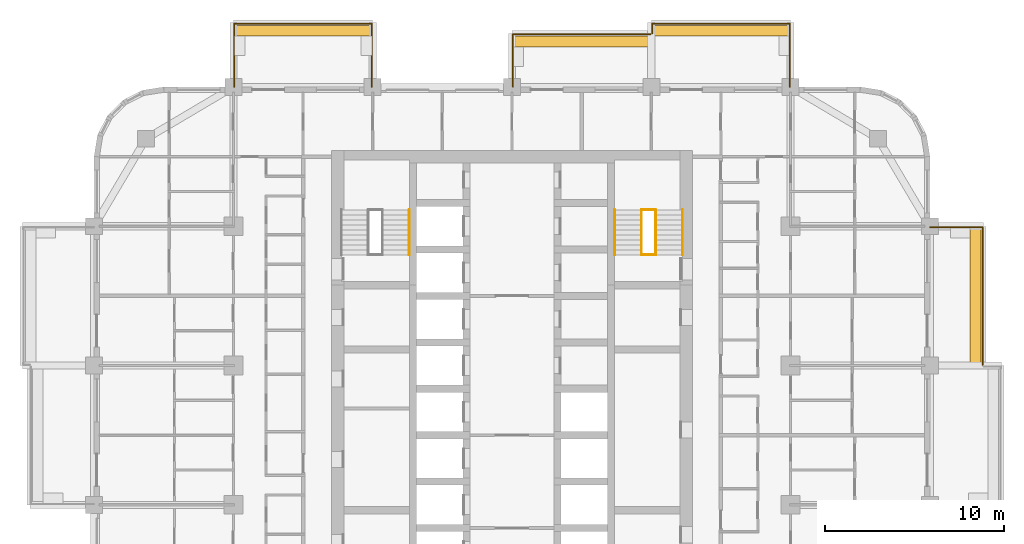
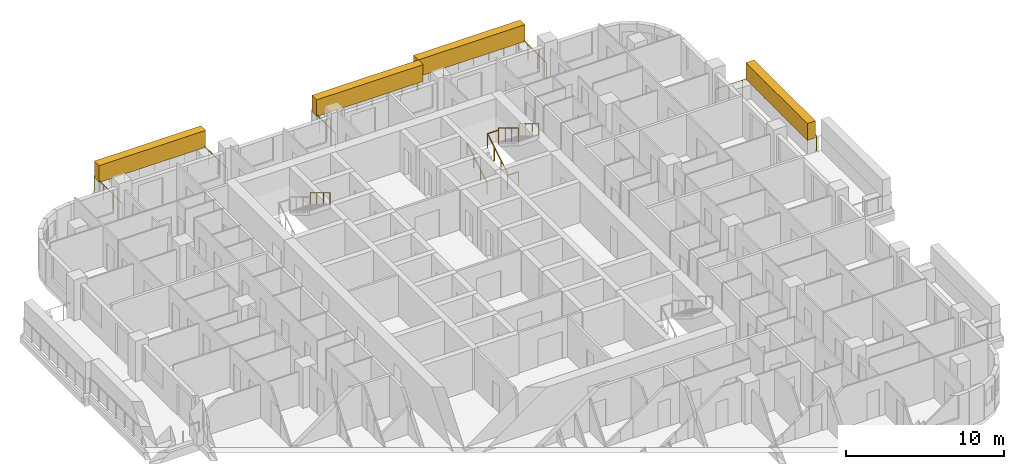
# One storey, part 18 of 18: 11 railings, 4 coverings, 2 elements without a shape of their own.
"""IFC4 building model written with IfcOpenShell, lengths in metres."""

from ifc_helpers import new_model, si_unit, direction, frame, origin, origin_2d, place, context, subcontext, project, spatial, rectangle, circle, extrude, material, layer, layer_set, type_object, element, aggregate, save


model = new_model("IFC4")

# Units and contexts
model_context = context("Model", 3, precision=1e-05, world=origin(), true_north=direction((0.0, 1.0)))
body_context = subcontext(model_context, "Body", "Model", "MODEL_VIEW")
ifc_project = project(units=[si_unit("LENGTHUNIT", "METRE"), si_unit("AREAUNIT", "SQUARE_METRE"), si_unit("VOLUMEUNIT", "CUBIC_METRE"), si_unit("PLANEANGLEUNIT", "RADIAN"), si_unit("MASSUNIT", "GRAM", prefix="KILO")], contexts=[model_context])

# Site, building, storey
site_placement = place(None, origin())
site = spatial("IfcSite", under=ifc_project, at=site_placement, CompositionType="ELEMENT")
building_placement = place(site_placement, origin())
building = spatial("IfcBuilding", under=site, at=building_placement, Name="Ludao Terraces", CompositionType="ELEMENT")
storey_placement = place(building_placement, frame((0.0, 0.0, 78.39990234375)))
storey = spatial("IfcBuildingStorey", under=building, at=storey_placement, Name="L21", CompositionType="ELEMENT", Elevation=78.39990234375)

# Railings
ifc_material_1 = material(Name="Stainless steel 304", Category="steel")
railing_type_1 = type_object("IfcRailingType", Name="ENV Balcony glass guard 1200", PredefinedType="GUARDRAIL", material=ifc_material_1)
railing_1_placement = place(storey_placement, frame((111.35009765625, 72.85009765625, 0.0)))
element("IfcRailing", 1, at=railing_1_placement, inside=storey, type_object=railing_type_1, Name="Balcony guard L21 E4", PredefinedType="GUARDRAIL", context=body_context, shape_type="SweptSolid", body=[
    extrude(circle(Radius=0.02392578125, at=origin_2d()), frame((0.0, 0.0, 1.17578125), z_axis=(0.0, 1.0, 0.0), x_axis=(-1.0, 0.0, 0.0)), (0.0, 0.0, 1.0), 7.699951171875),
    extrude(circle(Radius=0.02392578125, at=origin_2d()), frame((0.0, 7.699951171875, 1.17578125), z_axis=(-1.0, 0.0, 0.0), x_axis=(0.0, -1.0, 0.0)), (0.0, 0.0, 1.0), 2.9501953125),
    extrude(circle(Radius=0.02099609375, at=origin_2d()), origin(), (0.0, 0.0, 1.0), 1.15185546875),
    extrude(circle(Radius=0.02099609375, at=origin_2d()), frame((0.0, 1.10009765625, 0.0)), (0.0, 0.0, 1.0), 1.15185546875),
    extrude(circle(Radius=0.02099609375, at=origin_2d()), frame((0.0, 2.199951171875, 0.0)), (0.0, 0.0, 1.0), 1.15185546875),
    extrude(circle(Radius=0.02099609375, at=origin_2d()), frame((0.0, 3.300048828125, 0.0)), (0.0, 0.0, 1.0), 1.15185546875),
    extrude(circle(Radius=0.02099609375, at=origin_2d()), frame((0.0, 4.39990234375, 0.0)), (0.0, 0.0, 1.0), 1.15185546875),
    extrude(circle(Radius=0.02099609375, at=origin_2d()), frame((0.0, 5.5, 0.0)), (0.0, 0.0, 1.0), 1.15185546875),
    extrude(circle(Radius=0.02099609375, at=origin_2d()), frame((0.0, 6.599853515625, 0.0)), (0.0, 0.0, 1.0), 1.15185546875),
    extrude(circle(Radius=0.02099609375, at=origin_2d()), frame((0.0, 7.699951171875, 0.0)), (0.0, 0.0, 1.0), 1.15185546875),
    extrude(circle(Radius=0.02099609375, at=origin_2d()), frame((-0.9833984375, 7.699951171875, 0.0)), (0.0, 0.0, 1.0), 1.15185546875),
    extrude(circle(Radius=0.02099609375, at=origin_2d()), frame((-1.966796875, 7.699951171875, 0.0)), (0.0, 0.0, 1.0), 1.15185546875),
    extrude(circle(Radius=0.02099609375, at=origin_2d()), frame((-2.9501953125, 7.699951171875, 0.0)), (0.0, 0.0, 1.0), 1.15185546875),
])
railing_2_placement = place(storey_placement, frame((69.449951171875, 88.39990234375, 0.0)))
element("IfcRailing", 2, at=railing_2_placement, inside=storey, type_object=railing_type_1, Name="Balcony guard L21 N1", PredefinedType="GUARDRAIL", context=body_context, shape_type="SweptSolid", body=[
    extrude(circle(Radius=0.02392578125, at=origin_2d()), frame((0.0, 0.0, 1.17578125), z_axis=(0.0, 1.0, 0.0), x_axis=(-1.0, 0.0, 0.0)), (0.0, 0.0, 1.0), 3.550048828125),
    extrude(circle(Radius=0.02392578125, at=origin_2d()), frame((0.0, 3.550048828125, 1.17578125), z_axis=(1.0, 0.0, 0.0), x_axis=(0.0, 1.0, 0.0)), (0.0, 0.0, 1.0), 7.699951171875),
    extrude(circle(Radius=0.02392578125, at=origin_2d()), frame((7.699951171875, 3.550048828125, 1.17578125), z_axis=(0.0, -1.0, 0.0), x_axis=(1.0, 0.0, 0.0)), (0.0, 0.0, 1.0), 3.550048828125),
    extrude(circle(Radius=0.02099609375, at=origin_2d()), origin(), (0.0, 0.0, 1.0), 1.15185546875),
    extrude(circle(Radius=0.02099609375, at=origin_2d()), frame((0.0, 1.183349609375, 0.0)), (0.0, 0.0, 1.0), 1.15185546875),
    extrude(circle(Radius=0.02099609375, at=origin_2d()), frame((0.0, 2.36669921875, 0.0)), (0.0, 0.0, 1.0), 1.15185546875),
    extrude(circle(Radius=0.02099609375, at=origin_2d()), frame((0.0, 3.550048828125, 0.0)), (0.0, 0.0, 1.0), 1.15185546875),
    extrude(circle(Radius=0.02099609375, at=origin_2d()), frame((1.10009765625, 3.550048828125, 0.0)), (0.0, 0.0, 1.0), 1.15185546875),
    extrude(circle(Radius=0.02099609375, at=origin_2d()), frame((2.199951171875, 3.550048828125, 0.0)), (0.0, 0.0, 1.0), 1.15185546875),
    extrude(circle(Radius=0.02099609375, at=origin_2d()), frame((3.300048828125, 3.550048828125, 0.0)), (0.0, 0.0, 1.0), 1.15185546875),
    extrude(circle(Radius=0.02099609375, at=origin_2d()), frame((4.39990234375, 3.550048828125, 0.0)), (0.0, 0.0, 1.0), 1.15185546875),
    extrude(circle(Radius=0.02099609375, at=origin_2d()), frame((5.5, 3.550048828125, 0.0)), (0.0, 0.0, 1.0), 1.15185546875),
    extrude(circle(Radius=0.02099609375, at=origin_2d()), frame((6.599853515625, 3.550048828125, 0.0)), (0.0, 0.0, 1.0), 1.15185546875),
    extrude(circle(Radius=0.02099609375, at=origin_2d()), frame((7.699951171875, 3.550048828125, 0.0)), (0.0, 0.0, 1.0), 1.15185546875),
    extrude(circle(Radius=0.02099609375, at=origin_2d()), frame((7.699951171875, 2.36669921875, 0.0)), (0.0, 0.0, 1.0), 1.15185546875),
    extrude(circle(Radius=0.02099609375, at=origin_2d()), frame((7.699951171875, 1.183349609375, 0.0)), (0.0, 0.0, 1.0), 1.15185546875),
    extrude(circle(Radius=0.02099609375, at=origin_2d()), frame((7.699951171875, 0.0, 0.0)), (0.0, 0.0, 1.0), 1.15185546875),
])
railing_3_placement = place(storey_placement, frame((85.050048828125, 88.39990234375, 0.0)))
element("IfcRailing", 3, at=railing_3_placement, inside=storey, type_object=railing_type_1, Name="Balcony guard L21 N3", PredefinedType="GUARDRAIL", context=body_context, shape_type="SweptSolid", body=[
    extrude(circle(Radius=0.02392578125, at=origin_2d()), frame((0.0, 0.0, 1.17578125), z_axis=(0.0, 1.0, 0.0), x_axis=(-1.0, 0.0, 0.0)), (0.0, 0.0, 1.0), 2.9501953125),
    extrude(circle(Radius=0.02392578125, at=origin_2d()), frame((0.0, 2.9501953125, 1.17578125), z_axis=(1.0, 0.0, 0.0), x_axis=(0.0, 1.0, 0.0)), (0.0, 0.0, 1.0), 7.699951171875),
    extrude(circle(Radius=0.02099609375, at=origin_2d()), origin(), (0.0, 0.0, 1.0), 1.15185546875),
    extrude(circle(Radius=0.02099609375, at=origin_2d()), frame((0.0, 0.9833984375, 0.0)), (0.0, 0.0, 1.0), 1.15185546875),
    extrude(circle(Radius=0.02099609375, at=origin_2d()), frame((0.0, 1.966796875, 0.0)), (0.0, 0.0, 1.0), 1.15185546875),
    extrude(circle(Radius=0.02099609375, at=origin_2d()), frame((0.0, 2.9501953125, 0.0)), (0.0, 0.0, 1.0), 1.15185546875),
    extrude(circle(Radius=0.02099609375, at=origin_2d()), frame((1.10009765625, 2.9501953125, 0.0)), (0.0, 0.0, 1.0), 1.15185546875),
    extrude(circle(Radius=0.02099609375, at=origin_2d()), frame((2.199951171875, 2.9501953125, 0.0)), (0.0, 0.0, 1.0), 1.15185546875),
    extrude(circle(Radius=0.02099609375, at=origin_2d()), frame((3.300048828125, 2.9501953125, 0.0)), (0.0, 0.0, 1.0), 1.15185546875),
    extrude(circle(Radius=0.02099609375, at=origin_2d()), frame((4.39990234375, 2.9501953125, 0.0)), (0.0, 0.0, 1.0), 1.15185546875),
    extrude(circle(Radius=0.02099609375, at=origin_2d()), frame((5.5, 2.9501953125, 0.0)), (0.0, 0.0, 1.0), 1.15185546875),
    extrude(circle(Radius=0.02099609375, at=origin_2d()), frame((6.599853515625, 2.9501953125, 0.0)), (0.0, 0.0, 1.0), 1.15185546875),
    extrude(circle(Radius=0.02099609375, at=origin_2d()), frame((7.699951171875, 2.9501953125, 0.0)), (0.0, 0.0, 1.0), 1.15185546875),
])
railing_4_placement = place(storey_placement, frame((92.85009765625, 91.39990234375, 0.0)))
element("IfcRailing", 4, at=railing_4_placement, inside=storey, type_object=railing_type_1, Name="Balcony guard L21 N4", PredefinedType="GUARDRAIL", context=body_context, shape_type="SweptSolid", body=[
    extrude(circle(Radius=0.02392578125, at=origin_2d()), frame((0.0, 0.0, 1.17578125), z_axis=(0.0, 1.0, 0.0), x_axis=(-1.0, 0.0, 0.0)), (0.0, 0.0, 1.0), 0.550048828125),
    extrude(circle(Radius=0.02392578125, at=origin_2d()), frame((0.0, 0.550048828125, 1.17578125), z_axis=(1.0, 0.0, 0.0), x_axis=(0.0, 1.0, 0.0)), (0.0, 0.0, 1.0), 7.699951171875),
    extrude(circle(Radius=0.02392578125, at=origin_2d()), frame((7.699951171875, 0.550048828125, 1.17578125), z_axis=(0.0, -1.0, 0.0), x_axis=(1.0, 0.0, 0.0)), (0.0, 0.0, 1.0), 3.550048828125),
    extrude(circle(Radius=0.02099609375, at=origin_2d()), origin(), (0.0, 0.0, 1.0), 1.15185546875),
    extrude(circle(Radius=0.02099609375, at=origin_2d()), frame((0.0, 0.550048828125, 0.0)), (0.0, 0.0, 1.0), 1.15185546875),
    extrude(circle(Radius=0.02099609375, at=origin_2d()), frame((1.10009765625, 0.550048828125, 0.0)), (0.0, 0.0, 1.0), 1.15185546875),
    extrude(circle(Radius=0.02099609375, at=origin_2d()), frame((2.199951171875, 0.550048828125, 0.0)), (0.0, 0.0, 1.0), 1.15185546875),
    extrude(circle(Radius=0.02099609375, at=origin_2d()), frame((3.300048828125, 0.550048828125, 0.0)), (0.0, 0.0, 1.0), 1.15185546875),
    extrude(circle(Radius=0.02099609375, at=origin_2d()), frame((4.39990234375, 0.550048828125, 0.0)), (0.0, 0.0, 1.0), 1.15185546875),
    extrude(circle(Radius=0.02099609375, at=origin_2d()), frame((5.5, 0.550048828125, 0.0)), (0.0, 0.0, 1.0), 1.15185546875),
    extrude(circle(Radius=0.02099609375, at=origin_2d()), frame((6.599853515625, 0.550048828125, 0.0)), (0.0, 0.0, 1.0), 1.15185546875),
    extrude(circle(Radius=0.02099609375, at=origin_2d()), frame((7.699951171875, 0.550048828125, 0.0)), (0.0, 0.0, 1.0), 1.15185546875),
    extrude(circle(Radius=0.02099609375, at=origin_2d()), frame((7.699951171875, -0.63330078125, 0.0)), (0.0, 0.0, 1.0), 1.15185546875),
    extrude(circle(Radius=0.02099609375, at=origin_2d()), frame((7.699951171875, -1.816650390625, 0.0)), (0.0, 0.0, 1.0), 1.15185546875),
    extrude(circle(Radius=0.02099609375, at=origin_2d()), frame((7.699951171875, -3.0, 0.0)), (0.0, 0.0, 1.0), 1.15185546875),
])

# Coverings
ifc_material_2 = material(Name="Planting")
ifc_layer = layer(ifc_material_2, 0.60009765625)
ifc_layer_set = layer_set([ifc_layer], Name="ENV Planting hedge 600x1300")
covering_type = type_object("IfcCoveringType", Name="ENV Planting hedge 600x1300", PredefinedType="USERDEFINED", material=ifc_layer_set)
covering_placement = place(storey_placement, frame((110.949951171875, 76.699951171875, 1.10009765625), z_axis=(0.0, 0.0, 1.0), x_axis=(1.0, 0.0, 0.0)))
element("IfcCovering", 5, at=covering_placement, inside=storey, type_object=covering_type, Name="Planting hedge L21-E4", ObjectType="PLANTING", PredefinedType="USERDEFINED", context=body_context, shape_type="SweptSolid", body=[
    extrude(rectangle(XDim=0.60009765625, YDim=7.800048828125, at=origin_2d()), origin(), (0.0, 0.0, 1.0), 1.300048828125),
])
for number, where, z_axis, x_axis, name in (
    (6, (73.300048828125, 91.550048828125, 1.10009765625), (0.0, 0.0, 1.0), (1.0, 0.0, 0.0), "Planting hedge L21-N1"),
    (7, (88.89990234375, 90.949951171875, 1.10009765625), (0.0, 0.0, 1.0), (1.0, 0.0, 0.0), "Planting hedge L21-N3"),
    (8, (96.699951171875, 91.550048828125, 1.10009765625), (0.0, 0.0, 1.0), (1.0, 0.0, 0.0), "Planting hedge L21-N4"),
):
    element("IfcCovering", number, at=place(storey_placement, frame(where, z_axis=z_axis, x_axis=x_axis)), inside=storey, type_object=covering_type, Name=name, ObjectType="PLANTING", PredefinedType="USERDEFINED", context=body_context, shape_type="SweptSolid", body=[
        extrude(rectangle(XDim=7.800048828125, YDim=0.60009765625, at=origin_2d()), origin(), (0.0, 0.0, 1.0), 1.300048828125),
    ])

# Stair, railings
ifc_material_3 = material(Name="Concrete C40", Category="concrete")
stair_type = type_object("IfcStairType", Name="INT Stair", PredefinedType="HALF_TURN_STAIR", material=ifc_material_3)
stair_1_placement = place(storey_placement, origin())
stair_1 = element("IfcStair", 9, at=stair_1_placement, inside=storey, type_object=stair_type, Name="EXIT STAIR 2", PredefinedType="HALF_TURN_STAIR")
railing_type_2 = type_object("IfcRailingType", Name="INT Stair guard 1100", PredefinedType="GUARDRAIL", material=ifc_material_1)
railing_5_placement = place(storey_placement, frame((92.25, 79.0, 0.170166015625)))
railing_5 = element("IfcRailing", 10, at=railing_5_placement, type_object=railing_type_2, Name="ST-L21-S2-R1G", PredefinedType="GUARDRAIL", context=body_context, shape_type="SweptSolid", body=[
    extrude(circle(Radius=0.02392578125, at=origin_2d()), frame((0.0, 0.0, 1.076171875), z_axis=(0.0, 0.85478489116, 0.518982456201), x_axis=(-1.0, 0.0, 0.0)), (0.0, 0.0, 1.0), 2.9482421875),
    extrude(circle(Radius=0.02099609375, at=origin_2d()), origin(), (0.0, 0.0, 1.0), 1.052001953125),
    extrude(circle(Radius=0.02099609375, at=origin_2d()), frame((0.0, 0.840087890625, 0.510009765625)), (0.0, 0.0, 1.0), 1.052001953125),
    extrude(circle(Radius=0.02099609375, at=origin_2d()), frame((0.0, 1.679931640625, 1.02001953125)), (0.0, 0.0, 1.0), 1.052001953125),
    extrude(circle(Radius=0.02099609375, at=origin_2d()), frame((0.0, 2.52001953125, 1.530029296875)), (0.0, 0.0, 1.0), 1.052001953125),
])
railing_6_placement = place(storey_placement, frame((93.050048828125, 81.52001953125, 1.8701171875)))
railing_6 = element("IfcRailing", 11, at=railing_6_placement, type_object=railing_type_2, Name="ST-L21-S2-R2G", PredefinedType="GUARDRAIL", context=body_context, shape_type="SweptSolid", body=[
    extrude(circle(Radius=0.02392578125, at=origin_2d()), frame((0.0, 0.0, 1.076171875), z_axis=(0.0, -0.85478489116, 0.518982456201), x_axis=(1.0, 0.0, 0.0)), (0.0, 0.0, 1.0), 2.9482421875),
    extrude(circle(Radius=0.02099609375, at=origin_2d()), origin(), (0.0, 0.0, 1.0), 1.052001953125),
    extrude(circle(Radius=0.02099609375, at=origin_2d()), frame((0.0, -0.840087890625, 0.510009765625)), (0.0, 0.0, 1.0), 1.052001953125),
    extrude(circle(Radius=0.02099609375, at=origin_2d()), frame((0.0, -1.679931640625, 1.02001953125)), (0.0, 0.0, 1.0), 1.052001953125),
    extrude(circle(Radius=0.02099609375, at=origin_2d()), frame((0.0, -2.52001953125, 1.530029296875)), (0.0, 0.0, 1.0), 1.052001953125),
])
railing_7_placement = place(storey_placement, frame((92.25, 81.52001953125, 1.7001953125)))
railing_7 = element("IfcRailing", 12, at=railing_7_placement, type_object=railing_type_2, Name="ST-L21-S2-E1G", PredefinedType="GUARDRAIL", context=body_context, shape_type="SweptSolid", body=[
    extrude(circle(Radius=0.02392578125, at=origin_2d()), frame((0.0, 0.0, 1.076171875), z_axis=(1.0, 0.0, 0.0), x_axis=(0.0, 1.0, 0.0)), (0.0, 0.0, 1.0), 0.800048828125),
    extrude(circle(Radius=0.02099609375, at=origin_2d()), origin(), (0.0, 0.0, 1.0), 1.052001953125),
    extrude(circle(Radius=0.02099609375, at=origin_2d()), frame((0.800048828125, 0.0, 0.0)), (0.0, 0.0, 1.0), 1.052001953125),
])
railing_8_placement = place(storey_placement, frame((92.25, 79.0, 0.0)))
railing_8 = element("IfcRailing", 13, at=railing_8_placement, type_object=railing_type_2, Name="ST-L21-S2-E2G", PredefinedType="GUARDRAIL", context=body_context, shape_type="SweptSolid", body=[
    extrude(circle(Radius=0.02392578125, at=origin_2d()), frame((0.0, 0.0, 1.076171875), z_axis=(1.0, 0.0, 0.0), x_axis=(0.0, 1.0, 0.0)), (0.0, 0.0, 1.0), 0.800048828125),
    extrude(circle(Radius=0.02099609375, at=origin_2d()), origin(), (0.0, 0.0, 1.0), 1.052001953125),
    extrude(circle(Radius=0.02099609375, at=origin_2d()), frame((0.800048828125, 0.0, 0.0)), (0.0, 0.0, 1.0), 1.052001953125),
])

# Stair, railing
stair_2_placement = place(storey_placement, origin())
stair_2 = element("IfcStair", 14, at=stair_2_placement, inside=storey, type_object=stair_type, Name="EXIT STAIR 1", PredefinedType="HALF_TURN_STAIR")
railing_type_3 = type_object("IfcRailingType", Name="INT Stair handrail 900", PredefinedType="HANDRAIL", material=ifc_material_1)
railing_9_placement = place(storey_placement, frame((79.25, 81.52001953125, 1.8701171875)))
railing_9 = element("IfcRailing", 15, at=railing_9_placement, type_object=railing_type_3, Name="ST-L21-S1-R2H", PredefinedType="HANDRAIL", context=body_context, shape_type="SweptSolid", body=[
    extrude(circle(Radius=0.02392578125, at=origin_2d()), frame((0.0, 0.0, 0.8759765625), z_axis=(0.0, -0.85478489116, 0.518982456201), x_axis=(1.0, 0.0, 0.0)), (0.0, 0.0, 1.0), 2.9482421875),
    extrude(circle(Radius=0.02099609375, at=origin_2d()), origin(), (0.0, 0.0, 1.0), 0.851806640625),
    extrude(circle(Radius=0.02099609375, at=origin_2d()), frame((0.0, -0.840087890625, 0.510009765625)), (0.0, 0.0, 1.0), 0.851806640625),
    extrude(circle(Radius=0.02099609375, at=origin_2d()), frame((0.0, -1.679931640625, 1.02001953125)), (0.0, 0.0, 1.0), 0.851806640625),
    extrude(circle(Radius=0.02099609375, at=origin_2d()), frame((0.0, -2.52001953125, 1.530029296875)), (0.0, 0.0, 1.0), 0.851806640625),
])
aggregate(stair_2, [railing_9])

# Railing
railing_10_placement = place(storey_placement, frame((90.75, 79.0, 0.170166015625)))
railing_10 = element("IfcRailing", 16, at=railing_10_placement, type_object=railing_type_3, Name="ST-L21-S2-R1H", PredefinedType="HANDRAIL", context=body_context, shape_type="SweptSolid", body=[
    extrude(circle(Radius=0.02392578125, at=origin_2d()), frame((0.0, 0.0, 0.8759765625), z_axis=(0.0, 0.85478489116, 0.518982456201), x_axis=(-1.0, 0.0, 0.0)), (0.0, 0.0, 1.0), 2.9482421875),
    extrude(circle(Radius=0.02099609375, at=origin_2d()), origin(), (0.0, 0.0, 1.0), 0.851806640625),
    extrude(circle(Radius=0.02099609375, at=origin_2d()), frame((0.0, 0.840087890625, 0.510009765625)), (0.0, 0.0, 1.0), 0.851806640625),
    extrude(circle(Radius=0.02099609375, at=origin_2d()), frame((0.0, 1.679931640625, 1.02001953125)), (0.0, 0.0, 1.0), 0.851806640625),
    extrude(circle(Radius=0.02099609375, at=origin_2d()), frame((0.0, 2.52001953125, 1.530029296875)), (0.0, 0.0, 1.0), 0.851806640625),
])

railing_11_placement = place(storey_placement, frame((94.550048828125, 81.52001953125, 1.8701171875)))
railing_11 = element("IfcRailing", 17, at=railing_11_placement, type_object=railing_type_3, Name="ST-L21-S2-R2H", PredefinedType="HANDRAIL", context=body_context, shape_type="SweptSolid", body=[
    extrude(circle(Radius=0.02392578125, at=origin_2d()), frame((0.0, 0.0, 0.8759765625), z_axis=(0.0, -0.85478489116, 0.518982456201), x_axis=(1.0, 0.0, 0.0)), (0.0, 0.0, 1.0), 2.9482421875),
    extrude(circle(Radius=0.02099609375, at=origin_2d()), origin(), (0.0, 0.0, 1.0), 0.851806640625),
    extrude(circle(Radius=0.02099609375, at=origin_2d()), frame((0.0, -0.840087890625, 0.510009765625)), (0.0, 0.0, 1.0), 0.851806640625),
    extrude(circle(Radius=0.02099609375, at=origin_2d()), frame((0.0, -1.679931640625, 1.02001953125)), (0.0, 0.0, 1.0), 0.851806640625),
    extrude(circle(Radius=0.02099609375, at=origin_2d()), frame((0.0, -2.52001953125, 1.530029296875)), (0.0, 0.0, 1.0), 0.851806640625),
])

aggregate(stair_1, [railing_5, railing_10, railing_6, railing_11, railing_7, railing_8])

save(model, "model.ifc")
